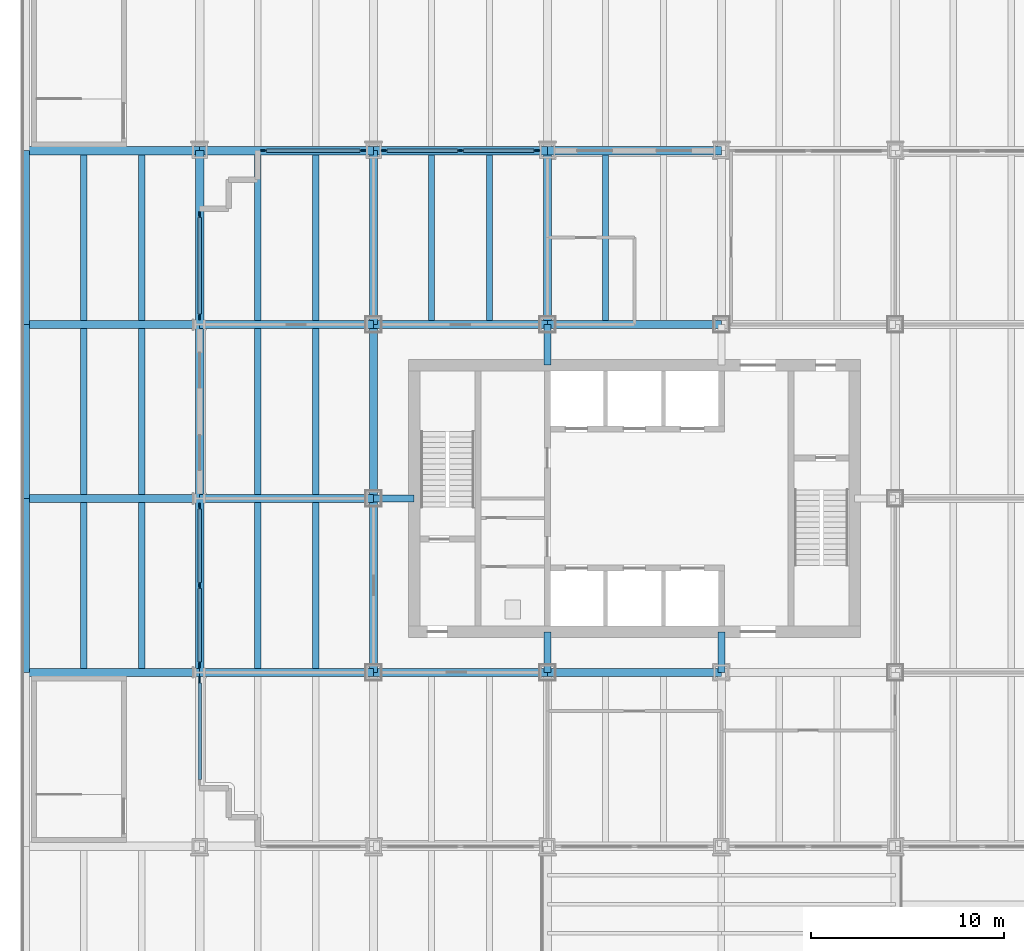
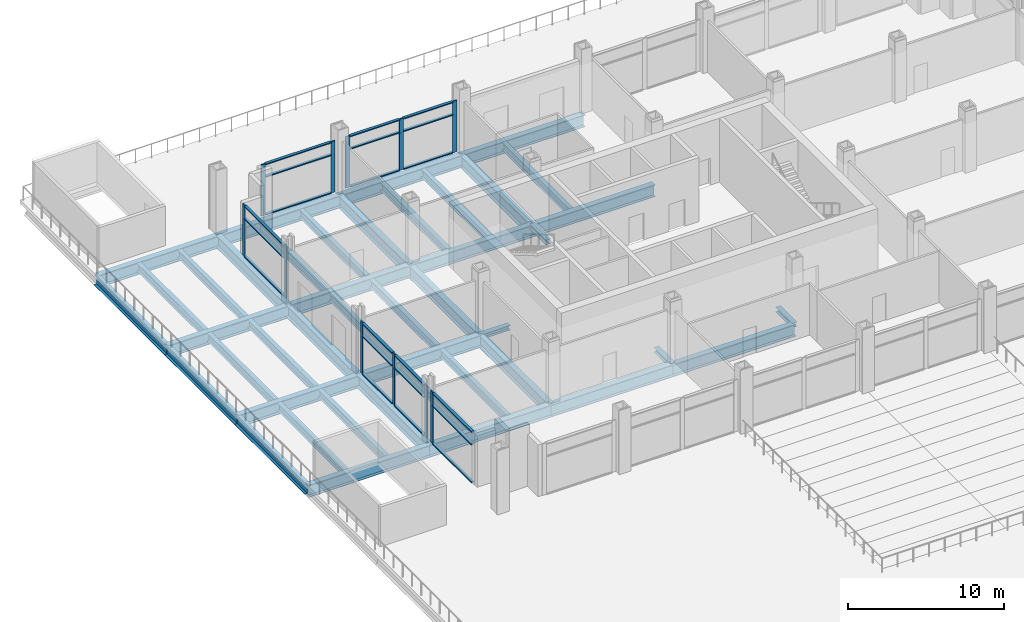
# One storey, part 4 of 16: 39 beams, 36 members, 5 elements without a shape of their own.
"""IFC4 building model written with IfcOpenShell, lengths in metres."""

from ifc_helpers import new_model, si_unit, direction, frame, origin, origin_2d, place, context, subcontext, project, spatial, rectangle, i_section, extrude, material, material_profile, profile_set, type_object, element, aggregate, save


model = new_model("IFC4")

# Units and contexts
model_context = context("Model", 3, precision=1e-05, world=origin(), true_north=direction((0.0, 1.0)))
body_context = subcontext(model_context, "Body", "Model", "MODEL_VIEW")
ifc_project = project(units=[si_unit("LENGTHUNIT", "METRE"), si_unit("AREAUNIT", "SQUARE_METRE"), si_unit("VOLUMEUNIT", "CUBIC_METRE"), si_unit("PLANEANGLEUNIT", "RADIAN"), si_unit("MASSUNIT", "GRAM", prefix="KILO")], contexts=[model_context])

# Site, building, storey
site_placement = place(None, origin())
site = spatial("IfcSite", under=ifc_project, at=site_placement, CompositionType="ELEMENT")
building_placement = place(site_placement, origin())
building = spatial("IfcBuilding", under=site, at=building_placement, Name="Loomwork Tower", CompositionType="ELEMENT")
storey_placement = place(building_placement, frame((0.0, 0.0, 23.0)))
storey = spatial("IfcBuildingStorey", under=building, at=storey_placement, Name="L04", CompositionType="ELEMENT", Elevation=23.0)

# Members
ifc_material_1 = material(Name="Steel ASTM A992", Category="steel")
ifc_material_profile_1 = material_profile(ifc_material_1, i_section(OverallWidth=0.373291015625, OverallDepth=0.373291015625, WebThickness=0.016357421875, FlangeThickness=0.026123046875, at=origin_2d()), Name="W14x132")
ifc_profile_set_1 = profile_set([ifc_material_profile_1], Name="Steel ASTM A992")
member_type_1 = type_object("IfcMemberType", Name="CORE LINK STRUT W14x132", PredefinedType="STRUT", material=ifc_profile_set_1)
for number, where, z_axis, x_axis, name in (
    (1, (27.0, 9.0, -0.486572265625), (0.0, 1.0, 0.0), (-1.0, 0.0, 0.0), "Core link strut E/5-27.000,11.100 L04"),
    (2, (18.0, 9.0, -0.486572265625), (0.0, 1.0, 0.0), (-1.0, 0.0, 0.0), "Core link strut E/4-18.000,11.100 L04"),
    (3, (18.0, 27.0, -0.486572265625), (0.0, -1.0, 0.0), (1.0, 0.0, 0.0), "Core link strut G/4-18.000,24.900 L04"),
    (4, (9.0, 18.0, -0.486572265625), (1.0, 0.0, 0.0), (0.0, 1.0, 0.0), "Core link strut F/3-11.100,18.000 L04"),
):
    element("IfcMember", number, at=place(storey_placement, frame(where, z_axis=z_axis, x_axis=x_axis)), inside=storey, type_object=member_type_1, Name=name, PredefinedType="STRUT", context=body_context, shape_type="SweptSolid", body=[
        extrude(i_section(OverallWidth=0.373291015625, OverallDepth=0.373291015625, WebThickness=0.016357421875, FlangeThickness=0.026123046875, at=origin_2d()), origin(), (0.0, 0.0, 1.0), 2.10009765625),
    ])

# Beams
ifc_material_2 = material(Name="Steel ASTM A992", Category="steel")
ifc_material_profile_2 = material_profile(ifc_material_2, i_section(OverallWidth=0.381103515625, OverallDepth=0.77978515625, WebThickness=0.01806640625, FlangeThickness=0.0302734375, at=origin_2d()), Name="W30x191")
ifc_profile_set_2 = profile_set([ifc_material_profile_2], Name="Steel ASTM A992")
beam_type_1 = type_object("IfcBeamType", Name="EDGE GIRDER W30x191", PredefinedType="BEAM", material=ifc_profile_set_2)
for number, where, z_axis, x_axis, name in (
    (5, (-9.0, 9.0, -0.68994140625), (0.0, 1.0, 0.0), (-1.0, 0.0, 0.0), "Edge Girder E/1-F/1 L04"),
    (6, (-9.0, 18.0, -0.68994140625), (0.0, 1.0, 0.0), (-1.0, 0.0, 0.0), "Edge Girder F/1-G/1 L04"),
    (7, (-9.0, 27.0, -0.68994140625), (0.0, 1.0, 0.0), (-1.0, 0.0, 0.0), "Edge Girder G/1-H/1 L04"),
):
    element("IfcBeam", number, at=place(storey_placement, frame(where, z_axis=z_axis, x_axis=x_axis)), inside=storey, type_object=beam_type_1, Name=name, PredefinedType="BEAM", context=body_context, shape_type="SweptSolid", body=[
        extrude(i_section(OverallWidth=0.381103515625, OverallDepth=0.77978515625, WebThickness=0.01806640625, FlangeThickness=0.0302734375, at=origin_2d()), origin(), (0.0, 0.0, 1.0), 9.0),
    ])
ifc_material_3 = material(Name="Steel ASTM A992", Category="steel")
ifc_material_profile_3 = material_profile(ifc_material_3, i_section(OverallWidth=0.3251953125, OverallDepth=0.612060546875, WebThickness=0.0126953125, FlangeThickness=0.01904296875, at=origin_2d()), Name="W24x104")
ifc_profile_set_3 = profile_set([ifc_material_profile_3], Name="Steel ASTM A992")
beam_type_2 = type_object("IfcBeamType", Name="FLOOR JOIST W24x104", PredefinedType="JOIST", material=ifc_profile_set_3)
for number, where, z_axis, x_axis, name in (
    (8, (-6.0, 9.2119140625, -0.60595703125), (0.0, 1.0, 0.0), (-1.0, 0.0, 0.0), "Floor Joist -6.000,9.000--6.000,18.000 L04"),
    (9, (-3.0, 9.2119140625, -0.60595703125), (0.0, 1.0, 0.0), (-1.0, 0.0, 0.0), "Floor Joist -3.000,9.000--3.000,18.000 L04"),
    (10, (-6.0, 18.2119140625, -0.60595703125), (0.0, 1.0, 0.0), (-1.0, 0.0, 0.0), "Floor Joist -6.000,18.000--6.000,27.000 L04"),
    (11, (-3.0, 18.2119140625, -0.60595703125), (0.0, 1.0, 0.0), (-1.0, 0.0, 0.0), "Floor Joist -3.000,18.000--3.000,27.000 L04"),
    (12, (-6.0, 27.2119140625, -0.60595703125), (0.0, 1.0, 0.0), (-1.0, 0.0, 0.0), "Floor Joist -6.000,27.000--6.000,36.000 L04"),
    (13, (-3.0, 27.2119140625, -0.60595703125), (0.0, 1.0, 0.0), (-1.0, 0.0, 0.0), "Floor Joist -3.000,27.000--3.000,36.000 L04"),
    (14, (3.0, 9.2119140625, -0.60595703125), (0.0, 1.0, 0.0), (-1.0, 0.0, 0.0), "Floor Joist 3.000,9.000-3.000,18.000 L04"),
    (15, (6.0, 9.2119140625, -0.60595703125), (0.0, 1.0, 0.0), (-1.0, 0.0, 0.0), "Floor Joist 6.000,9.000-6.000,18.000 L04"),
    (16, (3.0, 18.2119140625, -0.60595703125), (0.0, 1.0, 0.0), (-1.0, 0.0, 0.0), "Floor Joist 3.000,18.000-3.000,27.000 L04"),
    (17, (6.0, 18.2119140625, -0.60595703125), (0.0, 1.0, 0.0), (-1.0, 0.0, 0.0), "Floor Joist 6.000,18.000-6.000,27.000 L04"),
    (18, (3.0, 27.2119140625, -0.60595703125), (0.0, 1.0, 0.0), (-1.0, 0.0, 0.0), "Floor Joist 3.000,27.000-3.000,36.000 L04"),
    (19, (6.0, 27.2119140625, -0.60595703125), (0.0, 1.0, 0.0), (-1.0, 0.0, 0.0), "Floor Joist 6.000,27.000-6.000,36.000 L04"),
    (20, (12.0, 27.2119140625, -0.60595703125), (0.0, 1.0, 0.0), (-1.0, 0.0, 0.0), "Floor Joist 12.000,27.000-12.000,36.000 L04"),
    (21, (15.0, 27.2119140625, -0.60595703125), (0.0, 1.0, 0.0), (-1.0, 0.0, 0.0), "Floor Joist 15.000,27.000-15.000,36.000 L04"),
    (22, (21.0, 27.2119140625, -0.60595703125), (0.0, 1.0, 0.0), (-1.0, 0.0, 0.0), "Floor Joist 21.000,27.000-21.000,36.000 L04"),
):
    element("IfcBeam", number, at=place(storey_placement, frame(where, z_axis=z_axis, x_axis=x_axis)), inside=storey, type_object=beam_type_2, Name=name, PredefinedType="JOIST", context=body_context, shape_type="SweptSolid", body=[
        extrude(i_section(OverallWidth=0.3251953125, OverallDepth=0.612060546875, WebThickness=0.0126953125, FlangeThickness=0.01904296875, at=origin_2d()), origin(), (0.0, 0.0, 1.0), 8.576171875),
    ])

# Curtain wall, members
ifc_material_4 = material(Name="Aluminium curtain wall frame", Category="aluminium")
curtain_wall_type = type_object("IfcCurtainWallType", Name="Sky lobby glazing", PredefinedType="NOTDEFINED", material=ifc_material_4)
curtain_wall_1_placement = place(storey_placement, origin())
curtain_wall_1 = element("IfcCurtainWall", 23, at=curtain_wall_1_placement, inside=storey, type_object=curtain_wall_type, Name="Sky lobby glazing cw/N-0", PredefinedType="NOTDEFINED")
ifc_material_5 = material(Name="Aluminium curtain wall frame", Category="aluminium")
ifc_material_profile_4 = material_profile(ifc_material_5, rectangle(XDim=0.080078125, YDim=0.300048828125, at=origin_2d()), Name="AL 80x300")
ifc_profile_set_4 = profile_set([ifc_material_profile_4], Name="Aluminium curtain wall frame")
member_type_2 = type_object("IfcMemberType", Name="Sky lobby glazing mullion", PredefinedType="MULLION", material=ifc_profile_set_4)
member_1_placement = place(storey_placement, frame((8.449951171875, 36.0, 0.0), z_axis=(0.0, 0.0, 1.0), x_axis=(0.0, -1.0, 0.0)))
member_1 = element("IfcMember", 24, at=member_1_placement, type_object=member_type_2, Name="CW6 mullion 1", PredefinedType="MULLION", context=body_context, shape_type="SweptSolid", body=[
    extrude(rectangle(XDim=0.080078125, YDim=0.300048828125, at=origin_2d()), origin(), (0.0, 0.0, 1.0), 4.020263671875),
])
member_2_placement = place(storey_placement, frame((3.300048828125, 36.0, 0.0), z_axis=(0.0, 0.0, 1.0), x_axis=(0.0, -1.0, 0.0)))
member_2 = element("IfcMember", 25, at=member_2_placement, type_object=member_type_2, Name="CW6 mullion 2", PredefinedType="MULLION", context=body_context, shape_type="SweptSolid", body=[
    extrude(rectangle(XDim=0.080078125, YDim=0.300048828125, at=origin_2d()), origin(), (0.0, 0.0, 1.0), 4.020263671875),
])

curtain_wall_2_placement = place(storey_placement, origin())
curtain_wall_2 = element("IfcCurtainWall", 26, at=curtain_wall_2_placement, inside=storey, type_object=curtain_wall_type, Name="Sky lobby glazing cw/N-9", PredefinedType="NOTDEFINED")
member_3_placement = place(storey_placement, frame((17.449951171875, 36.0, 0.0), z_axis=(0.0, 0.0, 1.0), x_axis=(0.0, -1.0, 0.0)))
member_3 = element("IfcMember", 27, at=member_3_placement, type_object=member_type_2, Name="CW6 mullion 1", PredefinedType="MULLION", context=body_context, shape_type="SweptSolid", body=[
    extrude(rectangle(XDim=0.080078125, YDim=0.300048828125, at=origin_2d()), origin(), (0.0, 0.0, 1.0), 4.020263671875),
])
member_4_placement = place(storey_placement, frame((13.5, 36.0, 0.0), z_axis=(0.0, 0.0, 1.0), x_axis=(0.0, -1.0, 0.0)))
member_4 = element("IfcMember", 28, at=member_4_placement, type_object=member_type_2, Name="CW6 mullion 2", PredefinedType="MULLION", context=body_context, shape_type="SweptSolid", body=[
    extrude(rectangle(XDim=0.080078125, YDim=0.300048828125, at=origin_2d()), origin(), (0.0, 0.0, 1.0), 4.020263671875),
])
member_5_placement = place(storey_placement, frame((9.550048828125, 36.0, 0.0), z_axis=(0.0, 0.0, 1.0), x_axis=(0.0, -1.0, 0.0)))
member_5 = element("IfcMember", 29, at=member_5_placement, type_object=member_type_2, Name="CW6 mullion 3", PredefinedType="MULLION", context=body_context, shape_type="SweptSolid", body=[
    extrude(rectangle(XDim=0.080078125, YDim=0.300048828125, at=origin_2d()), origin(), (0.0, 0.0, 1.0), 4.020263671875),
])

# Curtain wall, member
curtain_wall_3_placement = place(storey_placement, origin())
curtain_wall_3 = element("IfcCurtainWall", 30, at=curtain_wall_3_placement, inside=storey, type_object=curtain_wall_type, Name="Sky lobby glazing cw/W-0", PredefinedType="NOTDEFINED")
member_6_placement = place(storey_placement, frame((0.0, 8.611083984375, 0.0), z_axis=(0.0, 0.0, 1.0), x_axis=(1.0, 0.0, 0.0)))
member_6 = element("IfcMember", 31, at=member_6_placement, type_object=member_type_2, Name="CW6 mullion 1", PredefinedType="MULLION", context=body_context, shape_type="SweptSolid", body=[
    extrude(rectangle(XDim=0.080078125, YDim=0.300048828125, at=origin_2d()), origin(), (0.0, 0.0, 1.0), 4.020263671875),
])

# Curtain wall, members
curtain_wall_4_placement = place(storey_placement, origin())
curtain_wall_4 = element("IfcCurtainWall", 32, at=curtain_wall_4_placement, inside=storey, type_object=curtain_wall_type, Name="Sky lobby glazing cw/W-9", PredefinedType="NOTDEFINED")
member_7_placement = place(storey_placement, frame((0.0, 17.611083984375, 0.0), z_axis=(0.0, 0.0, 1.0), x_axis=(1.0, 0.0, 0.0)))
member_7 = element("IfcMember", 33, at=member_7_placement, type_object=member_type_2, Name="CW6 mullion 1", PredefinedType="MULLION", context=body_context, shape_type="SweptSolid", body=[
    extrude(rectangle(XDim=0.080078125, YDim=0.300048828125, at=origin_2d()), origin(), (0.0, 0.0, 1.0), 4.020263671875),
])
member_8_placement = place(storey_placement, frame((0.0, 13.5, 0.0), z_axis=(0.0, 0.0, 1.0), x_axis=(1.0, 0.0, 0.0)))
member_8 = element("IfcMember", 34, at=member_8_placement, type_object=member_type_2, Name="CW6 mullion 2", PredefinedType="MULLION", context=body_context, shape_type="SweptSolid", body=[
    extrude(rectangle(XDim=0.080078125, YDim=0.300048828125, at=origin_2d()), origin(), (0.0, 0.0, 1.0), 4.020263671875),
])
member_9_placement = place(storey_placement, frame((0.0, 9.388916015625, 0.0), z_axis=(0.0, 0.0, 1.0), x_axis=(1.0, 0.0, 0.0)))
member_9 = element("IfcMember", 35, at=member_9_placement, type_object=member_type_2, Name="CW6 mullion 3", PredefinedType="MULLION", context=body_context, shape_type="SweptSolid", body=[
    extrude(rectangle(XDim=0.080078125, YDim=0.300048828125, at=origin_2d()), origin(), (0.0, 0.0, 1.0), 4.020263671875),
])

curtain_wall_5_placement = place(storey_placement, origin())
curtain_wall_5 = element("IfcCurtainWall", 36, at=curtain_wall_5_placement, inside=storey, type_object=curtain_wall_type, Name="Sky lobby glazing cw/W-27", PredefinedType="NOTDEFINED")
member_10_placement = place(storey_placement, frame((0.0, 32.699951171875, 0.0), z_axis=(0.0, 0.0, 1.0), x_axis=(1.0, 0.0, 0.0)))
member_10 = element("IfcMember", 37, at=member_10_placement, type_object=member_type_2, Name="CW6 mullion 1", PredefinedType="MULLION", context=body_context, shape_type="SweptSolid", body=[
    extrude(rectangle(XDim=0.080078125, YDim=0.300048828125, at=origin_2d()), origin(), (0.0, 0.0, 1.0), 4.020263671875),
])
member_11_placement = place(storey_placement, frame((0.0, 27.388916015625, 0.0), z_axis=(0.0, 0.0, 1.0), x_axis=(1.0, 0.0, 0.0)))
member_11 = element("IfcMember", 38, at=member_11_placement, type_object=member_type_2, Name="CW6 mullion 2", PredefinedType="MULLION", context=body_context, shape_type="SweptSolid", body=[
    extrude(rectangle(XDim=0.080078125, YDim=0.300048828125, at=origin_2d()), origin(), (0.0, 0.0, 1.0), 4.020263671875),
])

# Member
ifc_material_6 = material(Name="Aluminium curtain wall frame", Category="aluminium")
ifc_material_profile_5 = material_profile(ifc_material_6, rectangle(XDim=0.199951171875, YDim=0.080078125, at=origin_2d()), Name="AL 80x200")
ifc_profile_set_5 = profile_set([ifc_material_profile_5], Name="Aluminium curtain wall frame")
member_type_3 = type_object("IfcMemberType", Name="Sky lobby glazing transom", PredefinedType="USERDEFINED", material=ifc_profile_set_5)
member_12_placement = place(storey_placement, frame((8.300048828125, 36.0, 0.0400390625), z_axis=(-1.0, 0.0, 0.0), x_axis=(0.0, -1.0, 0.0)))
member_12 = element("IfcMember", 39, at=member_12_placement, type_object=member_type_3, Name="CW6 transom 1.1", ObjectType="TRANSOM", PredefinedType="USERDEFINED", context=body_context, shape_type="SweptSolid", body=[
    extrude(rectangle(XDim=0.199951171875, YDim=0.080078125, at=origin_2d()), origin(), (0.0, 0.0, 1.0), 4.85009765625),
])

member_13_placement = place(storey_placement, frame((8.300048828125, 36.0, 3.0), z_axis=(-1.0, 0.0, 0.0), x_axis=(0.0, -1.0, 0.0)))
member_13 = element("IfcMember", 40, at=member_13_placement, type_object=member_type_3, Name="CW6 transom 1.2", ObjectType="TRANSOM", PredefinedType="USERDEFINED", context=body_context, shape_type="SweptSolid", body=[
    extrude(rectangle(XDim=0.199951171875, YDim=0.080078125, at=origin_2d()), origin(), (0.0, 0.0, 1.0), 4.85009765625),
])

member_14_placement = place(storey_placement, frame((8.300048828125, 36.0, 3.980224609375), z_axis=(-1.0, 0.0, 0.0), x_axis=(0.0, -1.0, 0.0)))
member_14 = element("IfcMember", 41, at=member_14_placement, type_object=member_type_3, Name="CW6 transom 1.3", ObjectType="TRANSOM", PredefinedType="USERDEFINED", context=body_context, shape_type="SweptSolid", body=[
    extrude(rectangle(XDim=0.199951171875, YDim=0.080078125, at=origin_2d()), origin(), (0.0, 0.0, 1.0), 4.85009765625),
])

aggregate(curtain_wall_1, [member_1, member_2, member_12, member_13, member_14])

member_15_placement = place(storey_placement, frame((17.300048828125, 36.0, 0.0400390625), z_axis=(-1.0, 0.0, 0.0), x_axis=(0.0, -1.0, 0.0)))
member_15 = element("IfcMember", 42, at=member_15_placement, type_object=member_type_3, Name="CW6 transom 1.1", ObjectType="TRANSOM", PredefinedType="USERDEFINED", context=body_context, shape_type="SweptSolid", body=[
    extrude(rectangle(XDim=0.199951171875, YDim=0.080078125, at=origin_2d()), origin(), (0.0, 0.0, 1.0), 3.650146484375),
])

member_16_placement = place(storey_placement, frame((17.300048828125, 36.0, 3.0), z_axis=(-1.0, 0.0, 0.0), x_axis=(0.0, -1.0, 0.0)))
member_16 = element("IfcMember", 43, at=member_16_placement, type_object=member_type_3, Name="CW6 transom 1.2", ObjectType="TRANSOM", PredefinedType="USERDEFINED", context=body_context, shape_type="SweptSolid", body=[
    extrude(rectangle(XDim=0.199951171875, YDim=0.080078125, at=origin_2d()), origin(), (0.0, 0.0, 1.0), 3.650146484375),
])

member_17_placement = place(storey_placement, frame((17.300048828125, 36.0, 3.980224609375), z_axis=(-1.0, 0.0, 0.0), x_axis=(0.0, -1.0, 0.0)))
member_17 = element("IfcMember", 44, at=member_17_placement, type_object=member_type_3, Name="CW6 transom 1.3", ObjectType="TRANSOM", PredefinedType="USERDEFINED", context=body_context, shape_type="SweptSolid", body=[
    extrude(rectangle(XDim=0.199951171875, YDim=0.080078125, at=origin_2d()), origin(), (0.0, 0.0, 1.0), 3.650146484375),
])

member_18_placement = place(storey_placement, frame((13.35009765625, 36.0, 0.0400390625), z_axis=(-1.0, 0.0, 0.0), x_axis=(0.0, -1.0, 0.0)))
member_18 = element("IfcMember", 45, at=member_18_placement, type_object=member_type_3, Name="CW6 transom 2.1", ObjectType="TRANSOM", PredefinedType="USERDEFINED", context=body_context, shape_type="SweptSolid", body=[
    extrude(rectangle(XDim=0.199951171875, YDim=0.080078125, at=origin_2d()), origin(), (0.0, 0.0, 1.0), 3.650146484375),
])

member_19_placement = place(storey_placement, frame((13.35009765625, 36.0, 3.0), z_axis=(-1.0, 0.0, 0.0), x_axis=(0.0, -1.0, 0.0)))
member_19 = element("IfcMember", 46, at=member_19_placement, type_object=member_type_3, Name="CW6 transom 2.2", ObjectType="TRANSOM", PredefinedType="USERDEFINED", context=body_context, shape_type="SweptSolid", body=[
    extrude(rectangle(XDim=0.199951171875, YDim=0.080078125, at=origin_2d()), origin(), (0.0, 0.0, 1.0), 3.650146484375),
])

member_20_placement = place(storey_placement, frame((13.35009765625, 36.0, 3.980224609375), z_axis=(-1.0, 0.0, 0.0), x_axis=(0.0, -1.0, 0.0)))
member_20 = element("IfcMember", 47, at=member_20_placement, type_object=member_type_3, Name="CW6 transom 2.3", ObjectType="TRANSOM", PredefinedType="USERDEFINED", context=body_context, shape_type="SweptSolid", body=[
    extrude(rectangle(XDim=0.199951171875, YDim=0.080078125, at=origin_2d()), origin(), (0.0, 0.0, 1.0), 3.650146484375),
])

aggregate(curtain_wall_2, [member_3, member_4, member_5, member_15, member_16, member_17, member_18, member_19, member_20])

member_21_placement = place(storey_placement, frame((0.0, 8.461181640625, 0.0400390625), z_axis=(0.0, -1.0, 0.0), x_axis=(1.0, 0.0, 0.0)))
member_21 = element("IfcMember", 48, at=member_21_placement, type_object=member_type_3, Name="CW6 transom 1.1", ObjectType="TRANSOM", PredefinedType="USERDEFINED", context=body_context, shape_type="SweptSolid", body=[
    extrude(rectangle(XDim=0.199951171875, YDim=0.080078125, at=origin_2d()), origin(), (0.0, 0.0, 1.0), 5.01123046875),
])

member_22_placement = place(storey_placement, frame((0.0, 8.461181640625, 3.0), z_axis=(0.0, -1.0, 0.0), x_axis=(1.0, 0.0, 0.0)))
member_22 = element("IfcMember", 49, at=member_22_placement, type_object=member_type_3, Name="CW6 transom 1.2", ObjectType="TRANSOM", PredefinedType="USERDEFINED", context=body_context, shape_type="SweptSolid", body=[
    extrude(rectangle(XDim=0.199951171875, YDim=0.080078125, at=origin_2d()), origin(), (0.0, 0.0, 1.0), 5.01123046875),
])

member_23_placement = place(storey_placement, frame((0.0, 8.461181640625, 3.980224609375), z_axis=(0.0, -1.0, 0.0), x_axis=(1.0, 0.0, 0.0)))
member_23 = element("IfcMember", 50, at=member_23_placement, type_object=member_type_3, Name="CW6 transom 1.3", ObjectType="TRANSOM", PredefinedType="USERDEFINED", context=body_context, shape_type="SweptSolid", body=[
    extrude(rectangle(XDim=0.199951171875, YDim=0.080078125, at=origin_2d()), origin(), (0.0, 0.0, 1.0), 5.01123046875),
])

aggregate(curtain_wall_3, [member_6, member_21, member_22, member_23])

member_24_placement = place(storey_placement, frame((0.0, 17.461181640625, 0.0400390625), z_axis=(0.0, -1.0, 0.0), x_axis=(1.0, 0.0, 0.0)))
member_24 = element("IfcMember", 51, at=member_24_placement, type_object=member_type_3, Name="CW6 transom 1.1", ObjectType="TRANSOM", PredefinedType="USERDEFINED", context=body_context, shape_type="SweptSolid", body=[
    extrude(rectangle(XDim=0.199951171875, YDim=0.080078125, at=origin_2d()), origin(), (0.0, 0.0, 1.0), 3.811279296875),
])

member_25_placement = place(storey_placement, frame((0.0, 17.461181640625, 3.0), z_axis=(0.0, -1.0, 0.0), x_axis=(1.0, 0.0, 0.0)))
member_25 = element("IfcMember", 52, at=member_25_placement, type_object=member_type_3, Name="CW6 transom 1.2", ObjectType="TRANSOM", PredefinedType="USERDEFINED", context=body_context, shape_type="SweptSolid", body=[
    extrude(rectangle(XDim=0.199951171875, YDim=0.080078125, at=origin_2d()), origin(), (0.0, 0.0, 1.0), 3.811279296875),
])

member_26_placement = place(storey_placement, frame((0.0, 17.461181640625, 3.980224609375), z_axis=(0.0, -1.0, 0.0), x_axis=(1.0, 0.0, 0.0)))
member_26 = element("IfcMember", 53, at=member_26_placement, type_object=member_type_3, Name="CW6 transom 1.3", ObjectType="TRANSOM", PredefinedType="USERDEFINED", context=body_context, shape_type="SweptSolid", body=[
    extrude(rectangle(XDim=0.199951171875, YDim=0.080078125, at=origin_2d()), origin(), (0.0, 0.0, 1.0), 3.811279296875),
])

member_27_placement = place(storey_placement, frame((0.0, 13.35009765625, 0.0400390625), z_axis=(0.0, -1.0, 0.0), x_axis=(1.0, 0.0, 0.0)))
member_27 = element("IfcMember", 54, at=member_27_placement, type_object=member_type_3, Name="CW6 transom 2.1", ObjectType="TRANSOM", PredefinedType="USERDEFINED", context=body_context, shape_type="SweptSolid", body=[
    extrude(rectangle(XDim=0.199951171875, YDim=0.080078125, at=origin_2d()), origin(), (0.0, 0.0, 1.0), 3.811279296875),
])

member_28_placement = place(storey_placement, frame((0.0, 13.35009765625, 3.0), z_axis=(0.0, -1.0, 0.0), x_axis=(1.0, 0.0, 0.0)))
member_28 = element("IfcMember", 55, at=member_28_placement, type_object=member_type_3, Name="CW6 transom 2.2", ObjectType="TRANSOM", PredefinedType="USERDEFINED", context=body_context, shape_type="SweptSolid", body=[
    extrude(rectangle(XDim=0.199951171875, YDim=0.080078125, at=origin_2d()), origin(), (0.0, 0.0, 1.0), 3.811279296875),
])

member_29_placement = place(storey_placement, frame((0.0, 13.35009765625, 3.980224609375), z_axis=(0.0, -1.0, 0.0), x_axis=(1.0, 0.0, 0.0)))
member_29 = element("IfcMember", 56, at=member_29_placement, type_object=member_type_3, Name="CW6 transom 2.3", ObjectType="TRANSOM", PredefinedType="USERDEFINED", context=body_context, shape_type="SweptSolid", body=[
    extrude(rectangle(XDim=0.199951171875, YDim=0.080078125, at=origin_2d()), origin(), (0.0, 0.0, 1.0), 3.811279296875),
])

aggregate(curtain_wall_4, [member_7, member_8, member_9, member_24, member_25, member_26, member_27, member_28, member_29])

member_30_placement = place(storey_placement, frame((0.0, 32.550048828125, 0.0400390625), z_axis=(0.0, -1.0, 0.0), x_axis=(1.0, 0.0, 0.0)))
member_30 = element("IfcMember", 57, at=member_30_placement, type_object=member_type_3, Name="CW6 transom 1.1", ObjectType="TRANSOM", PredefinedType="USERDEFINED", context=body_context, shape_type="SweptSolid", body=[
    extrude(rectangle(XDim=0.199951171875, YDim=0.080078125, at=origin_2d()), origin(), (0.0, 0.0, 1.0), 5.01123046875),
])

member_31_placement = place(storey_placement, frame((0.0, 32.550048828125, 3.0), z_axis=(0.0, -1.0, 0.0), x_axis=(1.0, 0.0, 0.0)))
member_31 = element("IfcMember", 58, at=member_31_placement, type_object=member_type_3, Name="CW6 transom 1.2", ObjectType="TRANSOM", PredefinedType="USERDEFINED", context=body_context, shape_type="SweptSolid", body=[
    extrude(rectangle(XDim=0.199951171875, YDim=0.080078125, at=origin_2d()), origin(), (0.0, 0.0, 1.0), 5.01123046875),
])

member_32_placement = place(storey_placement, frame((0.0, 32.550048828125, 3.980224609375), z_axis=(0.0, -1.0, 0.0), x_axis=(1.0, 0.0, 0.0)))
member_32 = element("IfcMember", 59, at=member_32_placement, type_object=member_type_3, Name="CW6 transom 1.3", ObjectType="TRANSOM", PredefinedType="USERDEFINED", context=body_context, shape_type="SweptSolid", body=[
    extrude(rectangle(XDim=0.199951171875, YDim=0.080078125, at=origin_2d()), origin(), (0.0, 0.0, 1.0), 5.01123046875),
])

aggregate(curtain_wall_5, [member_10, member_11, member_30, member_31, member_32])

# Beams
ifc_material_7 = material(Name="Steel ASTM A992", Category="steel")
ifc_material_profile_6 = material_profile(ifc_material_7, i_section(OverallWidth=0.424072265625, OverallDepth=0.947509765625, WebThickness=0.02392578125, FlangeThickness=0.042724609375, at=origin_2d()), Name="W36x302")
ifc_profile_set_6 = profile_set([ifc_material_profile_6], Name="Steel ASTM A992")
beam_type_3 = type_object("IfcBeamType", Name="TRANSFER FLOOR GIRDER W36x302", PredefinedType="BEAM", material=ifc_profile_set_6)
for number, where, z_axis, x_axis, name in (
    (60, (-9.0, 9.0, -0.773681640625), (1.0, 0.0, 0.0), (0.0, 1.0, 0.0), "Transfer Floor Girder E/1-E/2 L04"),
    (61, (0.0, 9.0, -0.773681640625), (1.0, 0.0, 0.0), (0.0, 1.0, 0.0), "Transfer Floor Girder E/2-E/3 L04"),
    (62, (9.0, 9.0, -0.773681640625), (1.0, 0.0, 0.0), (0.0, 1.0, 0.0), "Transfer Floor Girder E/3-E/4 L04"),
    (63, (18.0, 9.0, -0.773681640625), (1.0, 0.0, 0.0), (0.0, 1.0, 0.0), "Transfer Floor Girder E/4-E/5 L04"),
    (64, (-9.0, 18.0, -0.773681640625), (1.0, 0.0, 0.0), (0.0, 1.0, 0.0), "Transfer Floor Girder F/1-F/2 L04"),
    (65, (0.0, 18.0, -0.773681640625), (1.0, 0.0, 0.0), (0.0, 1.0, 0.0), "Transfer Floor Girder F/2-F/3 L04"),
    (66, (-9.0, 27.0, -0.773681640625), (1.0, 0.0, 0.0), (0.0, 1.0, 0.0), "Transfer Floor Girder G/1-G/2 L04"),
    (67, (0.0, 27.0, -0.773681640625), (1.0, 0.0, 0.0), (0.0, 1.0, 0.0), "Transfer Floor Girder G/2-G/3 L04"),
    (68, (9.0, 27.0, -0.773681640625), (1.0, 0.0, 0.0), (0.0, 1.0, 0.0), "Transfer Floor Girder G/3-G/4 L04"),
    (69, (18.0, 27.0, -0.773681640625), (1.0, 0.0, 0.0), (0.0, 1.0, 0.0), "Transfer Floor Girder G/4-G/5 L04"),
    (70, (-9.0, 36.0, -0.773681640625), (1.0, 0.0, 0.0), (0.0, 1.0, 0.0), "Transfer Floor Girder H/1-H/2 L04"),
    (71, (0.0, 36.0, -0.773681640625), (1.0, 0.0, 0.0), (0.0, 1.0, 0.0), "Transfer Floor Girder H/2-H/3 L04"),
    (72, (9.0, 36.0, -0.773681640625), (1.0, 0.0, 0.0), (0.0, 1.0, 0.0), "Transfer Floor Girder H/3-H/4 L04"),
    (73, (18.0, 36.0, -0.773681640625), (1.0, 0.0, 0.0), (0.0, 1.0, 0.0), "Transfer Floor Girder H/4-H/5 L04"),
    (74, (0.0, 9.0, -0.773681640625), (0.0, 1.0, 0.0), (-1.0, 0.0, 0.0), "Transfer Floor Girder E/2-F/2 L04"),
    (75, (0.0, 18.0, -0.773681640625), (0.0, 1.0, 0.0), (-1.0, 0.0, 0.0), "Transfer Floor Girder F/2-G/2 L04"),
    (76, (0.0, 27.0, -0.773681640625), (0.0, 1.0, 0.0), (-1.0, 0.0, 0.0), "Transfer Floor Girder G/2-H/2 L04"),
    (77, (9.0, 9.0, -0.773681640625), (0.0, 1.0, 0.0), (-1.0, 0.0, 0.0), "Transfer Floor Girder E/3-F/3 L04"),
    (78, (9.0, 18.0, -0.773681640625), (0.0, 1.0, 0.0), (-1.0, 0.0, 0.0), "Transfer Floor Girder F/3-G/3 L04"),
    (79, (9.0, 27.0, -0.773681640625), (0.0, 1.0, 0.0), (-1.0, 0.0, 0.0), "Transfer Floor Girder G/3-H/3 L04"),
    (80, (18.0, 27.0, -0.773681640625), (0.0, 1.0, 0.0), (-1.0, 0.0, 0.0), "Transfer Floor Girder G/4-H/4 L04"),
):
    element("IfcBeam", number, at=place(storey_placement, frame(where, z_axis=z_axis, x_axis=x_axis)), inside=storey, type_object=beam_type_3, Name=name, PredefinedType="BEAM", context=body_context, shape_type="SweptSolid", body=[
        extrude(i_section(OverallWidth=0.424072265625, OverallDepth=0.947509765625, WebThickness=0.02392578125, FlangeThickness=0.042724609375, at=origin_2d()), origin(), (0.0, 0.0, 1.0), 9.0),
    ])

save(model, "model.ifc")
